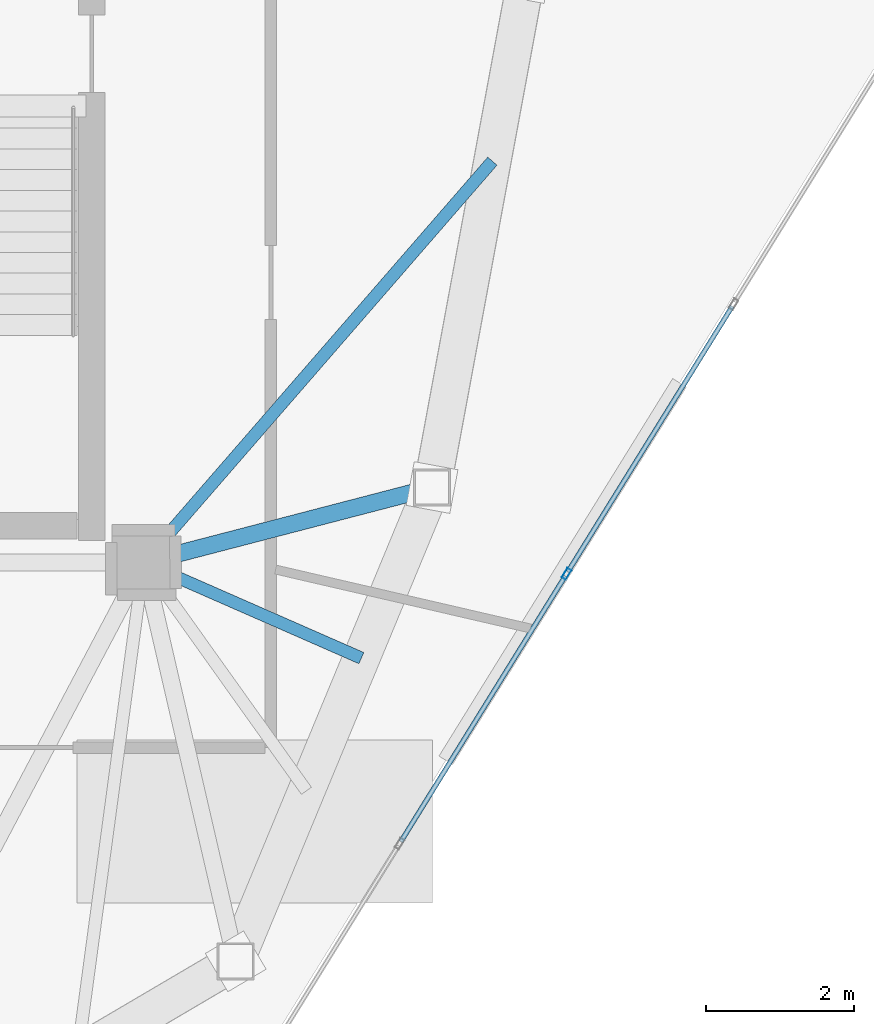
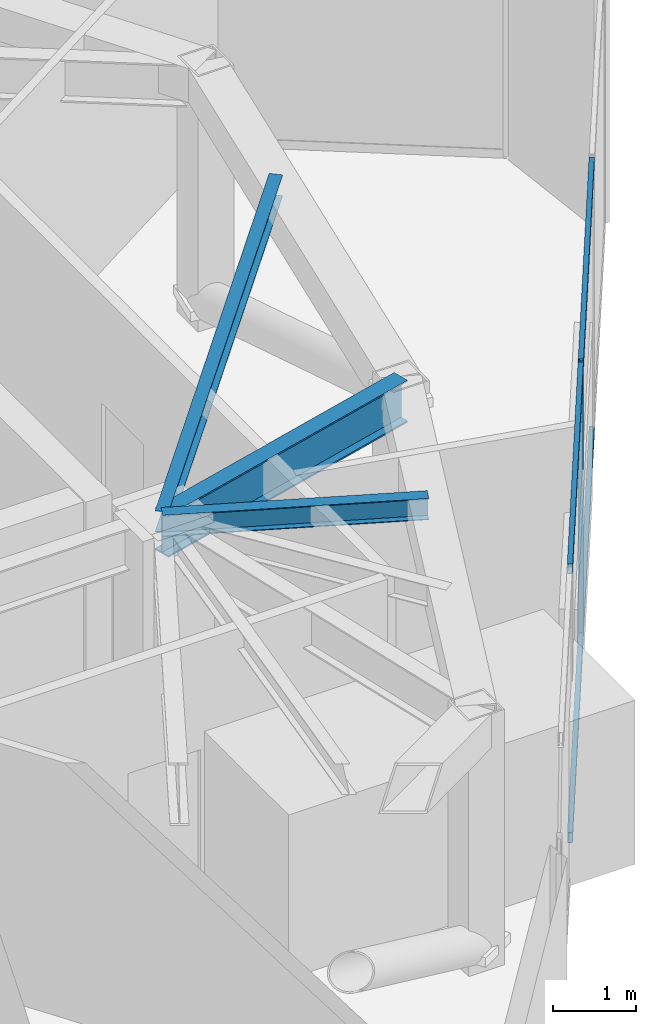
# One storey, part 8 of 21: 5 members, 3 beams, 1 element without a shape of its own.
"""IFC4 building model written with IfcOpenShell, lengths in metres."""

from ifc_helpers import new_model, si_unit, direction, frame, origin, origin_2d, place, context, subcontext, project, spatial, hollow_rectangle, i_section, extrude, source, transform, mapped, material, layer, layer_set, material_profile, profile_set, type_object, type_shapes, element, aggregate, save


model = new_model("IFC4")

# Units and contexts
model_context = context("Model", 3, precision=1e-05, world=origin(), true_north=direction((0.0, 1.0)))
body_context = subcontext(model_context, "Body", "Model", "MODEL_VIEW")
ifc_project = project(units=[si_unit("LENGTHUNIT", "METRE"), si_unit("AREAUNIT", "SQUARE_METRE"), si_unit("VOLUMEUNIT", "CUBIC_METRE"), si_unit("PLANEANGLEUNIT", "RADIAN"), si_unit("MASSUNIT", "GRAM", prefix="KILO")], contexts=[model_context])

# Site, building, storey
site_placement = place(None, origin())
site = spatial("IfcSite", under=ifc_project, at=site_placement, CompositionType="ELEMENT")
building_placement = place(site_placement, origin())
building = spatial("IfcBuilding", under=site, at=building_placement, Name="Talar Marvaseh", CompositionType="ELEMENT")
storey_placement = place(building_placement, frame((0.0, 0.0, 300.0)))
storey = spatial("IfcBuildingStorey", under=building, at=storey_placement, Name="L80", CompositionType="ELEMENT", Elevation=300.0)

# Beams
ifc_material_1 = material(Name="Steel S355", Category="steel")
ifc_material_profile_1 = material_profile(ifc_material_1, i_section(OverallWidth=0.166015625, OverallDepth=0.31298828125, WebThickness=0.006591796875, FlangeThickness=0.01123046875, at=origin_2d()), Name="W310x45")
ifc_profile_set_1 = profile_set([ifc_material_profile_1], Name="Steel S355")
beam_type_1 = type_object("IfcBeamType", Name="Zone 3 Secondary Floor Joist W310x45", PredefinedType="JOIST", material=ifc_profile_set_1)
beam_1_placement = place(storey_placement, frame((38.012451171875, 30.9248046875, 3.58349609375), z_axis=(-0.655796743858, -0.754937501218, 0.0), x_axis=(0.754937501218, -0.655796743858, 0.0)))
element("IfcBeam", 1, at=beam_1_placement, inside=storey, type_object=beam_type_1, Name="L80 Zone 3 Secondary Floor Joist W310x45", PredefinedType="JOIST", context=body_context, shape_type="SweptSolid", body=[
    extrude(i_section(OverallWidth=0.166015625, OverallDepth=0.31298828125, WebThickness=0.006591796875, FlangeThickness=0.01123046875, at=origin_2d()), origin(), (0.0, 0.0, 1.0), 7.185791015625),
])
beam_2_placement = place(storey_placement, frame((36.241943359375, 24.208984375, 3.58349609375), z_axis=(-0.915706783714, 0.401847093135, 0.0), x_axis=(-0.401847093135, -0.915706783714, 0.0)))
element("IfcBeam", 2, at=beam_2_placement, inside=storey, type_object=beam_type_1, Name="L80 Zone 3 Secondary Floor Joist W310x45", PredefinedType="JOIST", context=body_context, shape_type="SweptSolid", body=[
    extrude(i_section(OverallWidth=0.166015625, OverallDepth=0.31298828125, WebThickness=0.006591796875, FlangeThickness=0.01123046875, at=origin_2d()), origin(), (0.0, 0.0, 1.0), 3.212646484375),
])
ifc_material_profile_2 = material_profile(ifc_material_1, i_section(OverallWidth=0.22998046875, OverallDepth=0.616943359375, WebThickness=0.01318359375, FlangeThickness=0.022216796875, at=origin_2d()), Name="W610x140")
ifc_profile_set_2 = profile_set([ifc_material_profile_2], Name="Steel S355")
beam_type_2 = type_object("IfcBeamType", Name="Zone 4 Radial Floor Girder W610x140", PredefinedType="BEAM", material=ifc_profile_set_2)
beam_3_placement = place(storey_placement, frame((37.197021484375, 26.513916015625, 3.431396484375), z_axis=(-0.967779967746, -0.251797406719, 0.0), x_axis=(0.251797406719, -0.967779967746, 0.0)))
element("IfcBeam", 3, at=beam_3_placement, inside=storey, type_object=beam_type_2, Name="L80 Zone 4 Radial Floor Girder W610x140", PredefinedType="BEAM", context=body_context, shape_type="SweptSolid", body=[
    extrude(i_section(OverallWidth=0.22998046875, OverallDepth=0.616943359375, WebThickness=0.01318359375, FlangeThickness=0.022216796875, at=origin_2d()), origin(), (0.0, 0.0, 1.0), 4.026611328125),
])

# Curtain wall, members
ifc_material_2 = material(Name="Architectural Aluminium", Category="aluminium")
ifc_layer = layer(ifc_material_2, 0.2099609375)
ifc_layer_set = layer_set([ifc_layer], Name="Architectural Aluminium")
curtain_wall_type = type_object("IfcCurtainWallType", Name="Crown Plant Acoustic Spandrel Curtain Wall", PredefinedType="NOTDEFINED", material=ifc_layer_set)
curtain_wall_placement = place(storey_placement, origin())
curtain_wall = element("IfcCurtainWall", 4, at=curtain_wall_placement, inside=storey, type_object=curtain_wall_type, Name="L80 Crown Plant Acoustic Spandrel Curtain Wall", PredefinedType="NOTDEFINED")
ifc_material_profile_3 = material_profile(ifc_material_2, hollow_rectangle(XDim=0.06494140625, YDim=0.14990234375, WallThickness=0.00390625, at=origin_2d()), Name="RHS150x65x4")
ifc_profile_set_3 = profile_set([ifc_material_profile_3], Name="Architectural Aluminium")
member_type_1 = type_object("IfcMemberType", Name="Unitised Curtain Wall Slim Transom RHS150x65x4", PredefinedType="USERDEFINED", material=ifc_profile_set_3)
shared_shape_1 = source(origin(), body_context, "Body", "SweptSolid", [
    extrude(hollow_rectangle(XDim=0.06494140625, YDim=0.14990234375, WallThickness=0.00390625, at=origin_2d()), origin(), (0.0, 0.0, 1.0), 4.221435546875),
])
type_shapes(member_type_1, [shared_shape_1])
member_1_placement = place(storey_placement, frame((41.25390625, 28.96337890625, 0.032470703125), z_axis=(-0.526344659596, -0.850271309239, 0.0), x_axis=(0.850271309239, -0.526344659596, 0.0)))
member_1 = element("IfcMember", 5, at=member_1_placement, type_object=member_type_1, Name="CW-CRN transom 2.1", ObjectType="TRANSOM", PredefinedType="USERDEFINED", context=body_context, shape_type="MappedRepresentation", body=[
    mapped(shared_shape_1, transform((0.0, 0.0, 0.0), x_axis=(1.0, 0.0, 0.0), y_axis=(0.0, 1.0, 0.0), z_axis=(0.0, 0.0, 1.0), scale=1.0)),
])
member_2_placement = place(storey_placement, frame((41.25390625, 28.96337890625, 3.967529296875), z_axis=(-0.526344659596, -0.850271309239, 0.0), x_axis=(0.850271309239, -0.526344659596, 0.0)))
member_2 = element("IfcMember", 6, at=member_2_placement, type_object=member_type_1, Name="CW-CRN transom 2.2", ObjectType="TRANSOM", PredefinedType="USERDEFINED", context=body_context, shape_type="MappedRepresentation", body=[
    mapped(shared_shape_1, transform((0.0, 0.0, 0.0), x_axis=(1.0, 0.0, 0.0), y_axis=(0.0, 1.0, 0.0), z_axis=(0.0, 0.0, 1.0), scale=1.0)),
])
member_3_placement = place(storey_placement, frame((38.997802734375, 25.31884765625, 0.032470703125), z_axis=(-0.526344659596, -0.850271309239, 0.0), x_axis=(0.850271309239, -0.526344659596, 0.0)))
member_3 = element("IfcMember", 7, at=member_3_placement, type_object=member_type_1, Name="CW-CRN transom 3.1", ObjectType="TRANSOM", PredefinedType="USERDEFINED", context=body_context, shape_type="MappedRepresentation", body=[
    mapped(shared_shape_1, transform((0.0, 0.0, 0.0), x_axis=(1.0, 0.0, 0.0), y_axis=(0.0, 1.0, 0.0), z_axis=(0.0, 0.0, 1.0), scale=1.0)),
])
member_4_placement = place(storey_placement, frame((38.997802734375, 25.31884765625, 3.967529296875), z_axis=(-0.526344659596, -0.850271309239, 0.0), x_axis=(0.850271309239, -0.526344659596, 0.0)))
member_4 = element("IfcMember", 8, at=member_4_placement, type_object=member_type_1, Name="CW-CRN transom 3.2", ObjectType="TRANSOM", PredefinedType="USERDEFINED", context=body_context, shape_type="MappedRepresentation", body=[
    mapped(shared_shape_1, transform((0.0, 0.0, 0.0), x_axis=(1.0, 0.0, 0.0), y_axis=(0.0, 1.0, 0.0), z_axis=(0.0, 0.0, 1.0), scale=1.0)),
])
ifc_material_profile_4 = material_profile(ifc_material_2, hollow_rectangle(XDim=0.06494140625, YDim=0.14990234375, WallThickness=0.00390625, at=origin_2d()), Name="RHS150x65x4")
ifc_profile_set_4 = profile_set([ifc_material_profile_4], Name="Architectural Aluminium")
member_type_2 = type_object("IfcMemberType", Name="Unitised Curtain Wall Slim Mullion RHS150x65x4", PredefinedType="MULLION", material=ifc_profile_set_4)
shared_shape_2 = source(origin(), body_context, "Body", "SweptSolid", [
    extrude(hollow_rectangle(XDim=0.06494140625, YDim=0.14990234375, WallThickness=0.00390625, at=origin_2d()), origin(), (0.0, 0.0, 1.0), 4.0),
])
type_shapes(member_type_2, [shared_shape_2])
member_5_placement = place(storey_placement, frame((39.014892578125, 25.346435546875, 0.0), z_axis=(0.0, 0.0, 1.0), x_axis=(0.850268129899, -0.526349795552, 0.0)))
member_5 = element("IfcMember", 9, at=member_5_placement, type_object=member_type_2, Name="CW-CRN mullion 3", PredefinedType="MULLION", context=body_context, shape_type="MappedRepresentation", body=[
    mapped(shared_shape_2, transform((0.0, 0.0, 0.0), x_axis=(1.0, 0.0, 0.0), y_axis=(0.0, 1.0, 0.0), z_axis=(0.0, 0.0, 1.0), scale=1.0)),
])
aggregate(curtain_wall, [member_5, member_1, member_2, member_3, member_4])

save(model, "model.ifc")
